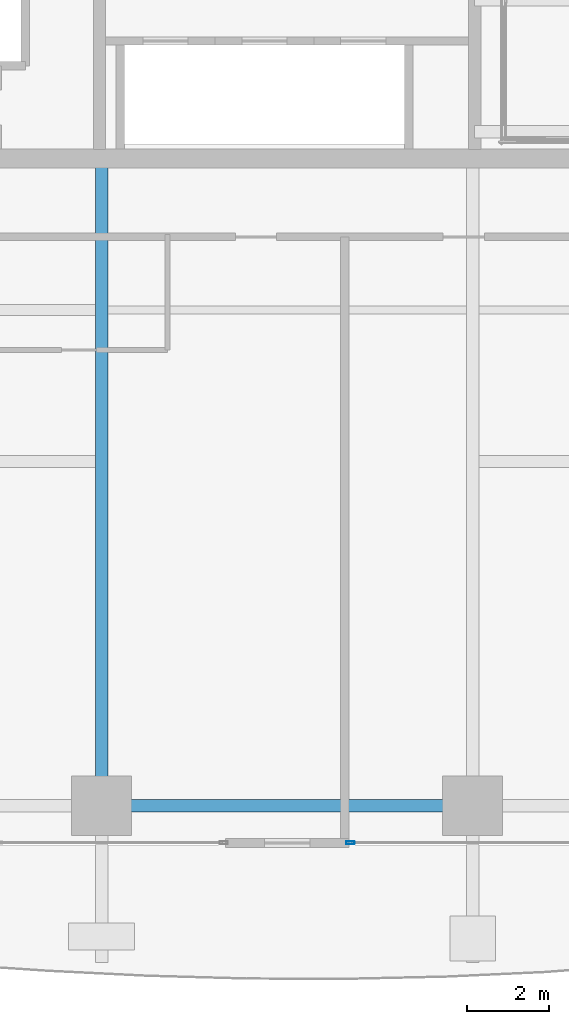
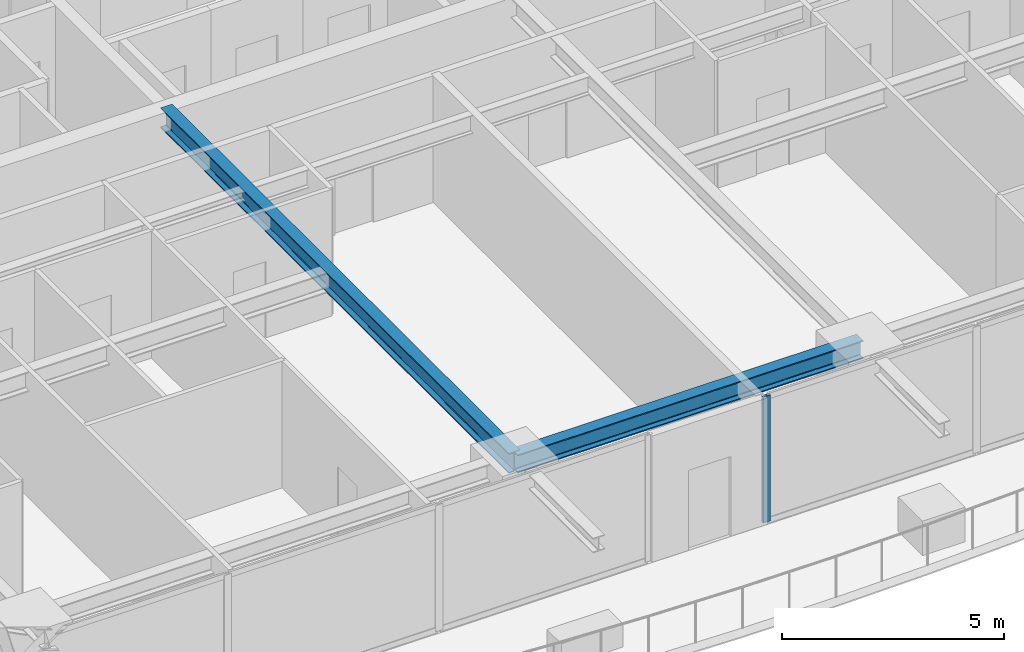
# One storey, part 5 of 39: 2 beams, 1 member, 1 element without a shape of its own.
"""IFC4 building model written with IfcOpenShell, lengths in metres."""

from ifc_helpers import new_model, si_unit, direction, frame, origin, origin_2d, place, context, subcontext, project, spatial, hollow_rectangle, i_section, extrude, source, transform, mapped, material, layer, layer_set, material_profile, profile_set, type_object, element, aggregate, save


model = new_model("IFC4")

# Units and contexts
model_context = context("Model", 3, precision=1e-05, world=origin(), true_north=direction((0.0, 1.0)))
body_context = subcontext(model_context, "Body", "Model", "MODEL_VIEW")
ifc_project = project(units=[si_unit("LENGTHUNIT", "METRE"), si_unit("AREAUNIT", "SQUARE_METRE"), si_unit("VOLUMEUNIT", "CUBIC_METRE"), si_unit("PLANEANGLEUNIT", "RADIAN"), si_unit("MASSUNIT", "GRAM", prefix="KILO")], contexts=[model_context])

# Site, building, storey
site_placement = place(None, origin())
site = spatial("IfcSite", under=ifc_project, at=site_placement, CompositionType="ELEMENT")
building_placement = place(site_placement, origin())
building = spatial("IfcBuilding", under=site, at=building_placement, Name="Serunith Strait Residences", CompositionType="ELEMENT")
storey_placement = place(building_placement, frame((0.0, 0.0, 60.449951171875)))
storey = spatial("IfcBuildingStorey", under=building, at=storey_placement, Name="L14", CompositionType="ELEMENT", Elevation=60.449951171875)

# Beams
ifc_material_1 = material(Name="Steel S355J2", Category="steel")
ifc_material_profile_1 = material_profile(ifc_material_1, i_section(OverallWidth=0.300048828125, OverallDepth=0.550048828125, WebThickness=0.014892578125, FlangeThickness=0.029052734375, FilletRadius=0.027099609375, at=origin_2d()), Name="HEB 550")
ifc_profile_set_1 = profile_set([ifc_material_profile_1], Name="Steel S355J2")
beam_type_1 = type_object("IfcBeamType", Name="BM-HEB550", PredefinedType="BEAM", material=ifc_profile_set_1)
shared_shape_1 = source(origin(), body_context, "Body", "SweptSolid", [
    extrude(i_section(OverallWidth=0.300048828125, OverallDepth=0.550048828125, WebThickness=0.014892578125, FlangeThickness=0.029052734375, FilletRadius=0.027099609375, at=origin_2d()), origin(), (0.0, 0.0, 1.0), 15.699951171875),
])
beam_1_placement = place(storey_placement, frame((27.89990234375, 16.800048828125, 3.212158203125), z_axis=(0.0, -1.0, 0.0), x_axis=(1.0, 0.0, 0.0)))
element("IfcBeam", 1, at=beam_1_placement, inside=storey, type_object=beam_type_1, Name="L14 Primary Floor Girder TC-S2", PredefinedType="BEAM", context=body_context, shape_type="MappedRepresentation", body=[
    mapped(shared_shape_1, transform((0.0, 0.0, 0.0), scale=1.0)),
])
ifc_material_profile_2 = material_profile(ifc_material_1, i_section(OverallWidth=0.300048828125, OverallDepth=0.5, WebThickness=0.014404296875, FlangeThickness=0.028076171875, FilletRadius=0.027099609375, at=origin_2d()), Name="HEB 500")
ifc_profile_set_2 = profile_set([ifc_material_profile_2], Name="Steel S355J2")
beam_type_2 = type_object("IfcBeamType", Name="BM-HEB500", PredefinedType="BEAM", material=ifc_profile_set_2)
shared_shape_2 = source(origin(), body_context, "Body", "SweptSolid", [
    extrude(i_section(OverallWidth=0.300048828125, OverallDepth=0.5, WebThickness=0.014404296875, FlangeThickness=0.028076171875, FilletRadius=0.027099609375, at=origin_2d()), origin(), (0.0, 0.0, 1.0), 9.0),
])
beam_2_placement = place(storey_placement, frame((27.89990234375, 1.10009765625, 3.237060546875), z_axis=(1.0, 0.0, 0.0), x_axis=(0.0, 1.0, 0.0)))
element("IfcBeam", 2, at=beam_2_placement, inside=storey, type_object=beam_type_2, Name="L14 Perimeter Ring Beam 02", PredefinedType="BEAM", context=body_context, shape_type="MappedRepresentation", body=[
    mapped(shared_shape_2, transform((0.0, 0.0, 0.0), scale=1.0)),
])

# Curtain wall, member
ifc_material_2 = material(Name="Pale-Champagne Anodised Aluminium", Category="aluminium")
ifc_layer = layer(ifc_material_2, 0.199951171875, Name="Pale-Champagne Anodised Aluminium")
ifc_layer_set = layer_set([ifc_layer], Name="Pale-Champagne Anodised Aluminium")
curtain_wall_type = type_object("IfcCurtainWallType", Name="CW-SYS1", PredefinedType="NOTDEFINED", material=ifc_layer_set)
curtain_wall_placement = place(storey_placement, origin())
curtain_wall = element("IfcCurtainWall", 3, at=curtain_wall_placement, inside=storey, type_object=curtain_wall_type, Name="L14 S Unitised Fritted Curtain Wall", PredefinedType="NOTDEFINED")
ifc_material_profile_3 = material_profile(ifc_material_2, hollow_rectangle(XDim=0.070068359375, YDim=0.199951171875, WallThickness=0.00390625, InnerFilletRadius=0.006103515625, OuterFilletRadius=0.010009765625, at=origin_2d()), Name="ALU 200x70x4")
ifc_profile_set_3 = profile_set([ifc_material_profile_3], Name="Pale-Champagne Anodised Aluminium")
member_type = type_object("IfcMemberType", Name="CW-SYS1-MULL", PredefinedType="MULLION", material=ifc_profile_set_3)
shared_shape_3 = source(origin(), body_context, "Body", "SweptSolid", [
    extrude(hollow_rectangle(XDim=0.070068359375, YDim=0.199951171875, WallThickness=0.00390625, InnerFilletRadius=0.006103515625, OuterFilletRadius=0.010009765625, at=origin_2d()), origin(), (0.0, 0.0, 1.0), 3.47509765625),
])
member_placement = place(storey_placement, frame((33.93505859375, 0.199951171875, 0.0), z_axis=(0.0, 0.0, 1.0), x_axis=(0.0, 1.0, 0.0)))
member = element("IfcMember", 4, at=member_placement, type_object=member_type, Name="CW-1 mullion 1", PredefinedType="MULLION", context=body_context, shape_type="MappedRepresentation", body=[
    mapped(shared_shape_3, transform((0.0, 0.0, 0.0), scale=1.0)),
])
aggregate(curtain_wall, [member])

save(model, "model.ifc")
